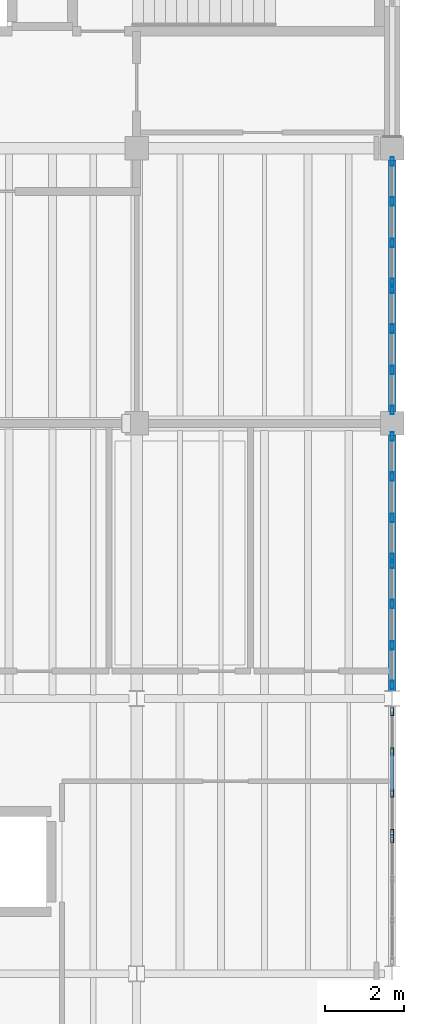
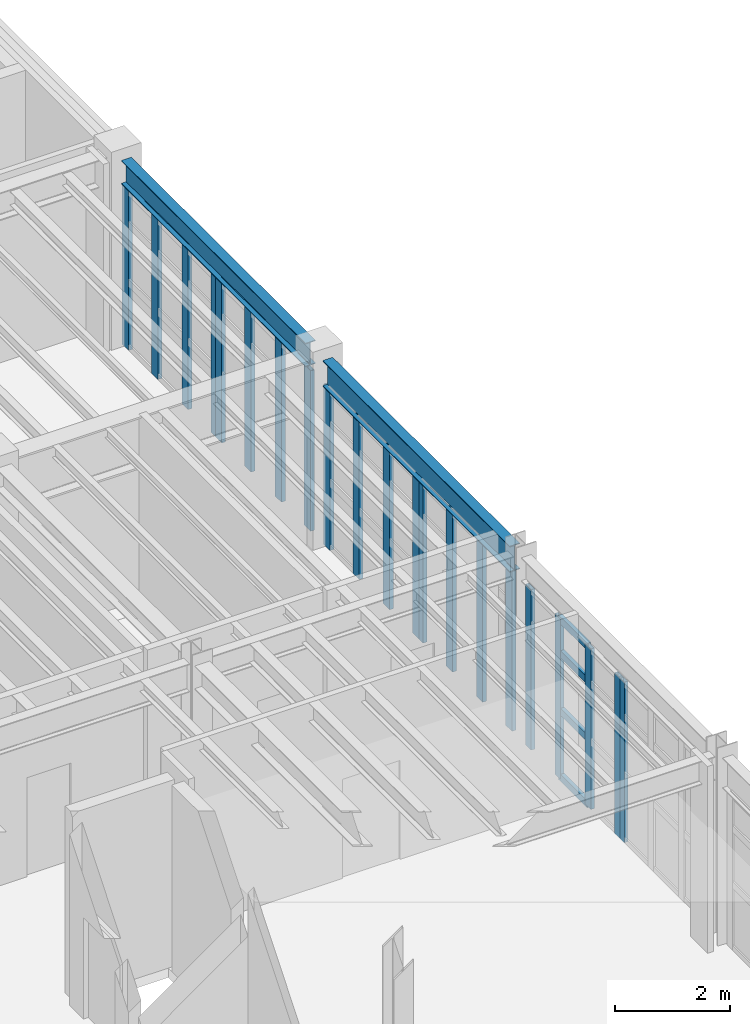
# One storey, part 45 of 78: 25 members, 2 beams, 6 elements without a shape of their own.
"""IFC4 building model written with IfcOpenShell, lengths in metres."""

from ifc_helpers import new_model, si_unit, direction, frame, origin, origin_2d, place, context, subcontext, project, spatial, hollow_rectangle, i_section, extrude, material, material_profile, profile_set, type_object, element, aggregate, save


model = new_model("IFC4")

# Units and contexts
model_context = context("Model", 3, precision=1e-05, world=origin(), true_north=direction((0.0, 1.0)))
body_context = subcontext(model_context, "Body", "Model", "MODEL_VIEW")
ifc_project = project(units=[si_unit("LENGTHUNIT", "METRE"), si_unit("AREAUNIT", "SQUARE_METRE"), si_unit("VOLUMEUNIT", "CUBIC_METRE"), si_unit("PLANEANGLEUNIT", "RADIAN"), si_unit("MASSUNIT", "GRAM", prefix="KILO"), si_unit("THERMODYNAMICTEMPERATUREUNIT", "KELVIN"), si_unit("POWERUNIT", "WATT")], contexts=[model_context])

# Site, building, storey
site_placement = place(None, origin())
site = spatial("IfcSite", under=ifc_project, at=site_placement, CompositionType="ELEMENT")
building_placement = place(site_placement, origin())
building = spatial("IfcBuilding", under=site, at=building_placement, Name="Zhenchuan Central Fire Station", CompositionType="ELEMENT")
storey_placement = place(building_placement, frame((0.0, 0.0, 5.85009765625)))
storey = spatial("IfcBuildingStorey", under=building, at=storey_placement, Name="L02", CompositionType="ELEMENT", Elevation=5.85009765625)

# Beams
ifc_material_1 = material(Name="Steel Q355B", Category="steel")
ifc_material_profile_1 = material_profile(ifc_material_1, i_section(OverallWidth=0.199951171875, OverallDepth=0.5, WebThickness=0.010009765625, FlangeThickness=0.01611328125, FilletRadius=0.02001953125, at=origin_2d()), Name="HN 500x200")
ifc_profile_set_1 = profile_set([ifc_material_profile_1], Name="Steel Q355B")
beam_type_1 = type_object("IfcBeamType", Name="BM-HN500", PredefinedType="BEAM", material=ifc_profile_set_1)
beam_1_placement = place(storey_placement, frame((161.0, 42.800048828125, 3.7099609375), z_axis=(0.0, 1.0, 0.0), x_axis=(-1.0, 0.0, 0.0)))
element("IfcBeam", 1, at=beam_1_placement, inside=storey, type_object=beam_type_1, Name="L03 Girder NS 0345", PredefinedType="BEAM", context=body_context, shape_type="SweptSolid", body=[
    extrude(i_section(OverallWidth=0.199951171875, OverallDepth=0.5, WebThickness=0.010009765625, FlangeThickness=0.01611328125, FilletRadius=0.02001953125, at=origin_2d()), origin(), (0.0, 0.0, 1.0), 6.39990234375),
])
ifc_material_profile_2 = material_profile(ifc_material_1, i_section(OverallWidth=0.199951171875, OverallDepth=0.550048828125, WebThickness=0.010009765625, FlangeThickness=0.01611328125, FilletRadius=0.02001953125, at=origin_2d()), Name="HN 550x200")
ifc_profile_set_2 = profile_set([ifc_material_profile_2], Name="Steel Q355B")
beam_type_2 = type_object("IfcBeamType", Name="BM-HN550", PredefinedType="BEAM", material=ifc_profile_set_2)
beam_2_placement = place(storey_placement, frame((161.0, 35.699951171875, 3.684814453125), z_axis=(0.0, 1.0, 0.0), x_axis=(-1.0, 0.0, 0.0)))
element("IfcBeam", 2, at=beam_2_placement, inside=storey, type_object=beam_type_2, Name="L03 Girder NS 0344", PredefinedType="BEAM", context=body_context, shape_type="SweptSolid", body=[
    extrude(i_section(OverallWidth=0.199951171875, OverallDepth=0.550048828125, WebThickness=0.010009765625, FlangeThickness=0.01611328125, FilletRadius=0.02001953125, at=origin_2d()), origin(), (0.0, 0.0, 1.0), 6.5),
])

# Curtain wall, member
ifc_material_2 = material(Name="Anodised aluminium and low-E glazing", Category="aluminium")
curtain_wall_type_1 = type_object("IfcCurtainWallType", Name="CW-MOD-10", PredefinedType="USERDEFINED", material=ifc_material_2)
curtain_wall_1_placement = place(storey_placement, origin())
curtain_wall_1 = element("IfcCurtainWall", 3, at=curtain_wall_1_placement, inside=storey, type_object=curtain_wall_type_1, Name="L02 Unitised Curtain Wall 092", ObjectType="UNITISED GLAZING", PredefinedType="USERDEFINED")
ifc_material_3 = material(Name="Anodised aluminium EN AW-6063", Category="aluminium")
ifc_material_profile_3 = material_profile(ifc_material_3, hollow_rectangle(XDim=0.074951171875, YDim=0.199951171875, WallThickness=0.0048828125, at=origin_2d()), Name="ALU-M 200x75")
ifc_profile_set_3 = profile_set([ifc_material_profile_3], Name="Anodised aluminium EN AW-6063")
member_type_1 = type_object("IfcMemberType", Name="CW-MUL160", PredefinedType="MULLION", material=ifc_profile_set_3)
member_1_placement = place(storey_placement, frame((161.0, 31.929443359375, -0.004150390625), z_axis=(0.0, 0.0, 1.0), x_axis=(-1.0, 0.0, 0.0)))
member_1 = element("IfcMember", 4, at=member_1_placement, type_object=member_type_1, Name="CW-10 mullion 4", PredefinedType="MULLION", context=body_context, shape_type="SweptSolid", body=[
    extrude(hollow_rectangle(XDim=0.074951171875, YDim=0.199951171875, WallThickness=0.0048828125, at=origin_2d()), origin(), (0.0, 0.0, 1.0), 3.404052734375),
])
aggregate(curtain_wall_1, [member_1])

# Curtain wall, members
curtain_wall_type_2 = type_object("IfcCurtainWallType", Name="CW-MOD-11", PredefinedType="USERDEFINED", material=ifc_material_2)
curtain_wall_2_placement = place(storey_placement, origin())
curtain_wall_2 = element("IfcCurtainWall", 5, at=curtain_wall_2_placement, inside=storey, type_object=curtain_wall_type_2, Name="L02 Unitised Curtain Wall 093", ObjectType="UNITISED GLAZING", PredefinedType="USERDEFINED")
member_2_placement = place(storey_placement, frame((161.0, 32.070556640625, -0.004150390625), z_axis=(0.0, 0.0, 1.0), x_axis=(-1.0, 0.0, 0.0)))
member_2 = element("IfcMember", 6, at=member_2_placement, type_object=member_type_1, Name="CW-11 mullion 1", PredefinedType="MULLION", context=body_context, shape_type="SweptSolid", body=[
    extrude(hollow_rectangle(XDim=0.074951171875, YDim=0.199951171875, WallThickness=0.0048828125, at=origin_2d()), origin(), (0.0, 0.0, 1.0), 3.404052734375),
])
member_3_placement = place(storey_placement, frame((161.0, 33.092041015625, -0.004150390625), z_axis=(0.0, 0.0, 1.0), x_axis=(-1.0, 0.0, 0.0)))
member_3 = element("IfcMember", 7, at=member_3_placement, type_object=member_type_1, Name="CW-11 mullion 2", PredefinedType="MULLION", context=body_context, shape_type="SweptSolid", body=[
    extrude(hollow_rectangle(XDim=0.074951171875, YDim=0.199951171875, WallThickness=0.0048828125, at=origin_2d()), origin(), (0.0, 0.0, 1.0), 3.404052734375),
])
member_4_placement = place(storey_placement, frame((161.0, 34.14599609375, -0.004150390625), z_axis=(0.0, 0.0, 1.0), x_axis=(-1.0, 0.0, 0.0)))
member_4 = element("IfcMember", 8, at=member_4_placement, type_object=member_type_1, Name="CW-11 mullion 3", PredefinedType="MULLION", context=body_context, shape_type="SweptSolid", body=[
    extrude(hollow_rectangle(XDim=0.074951171875, YDim=0.199951171875, WallThickness=0.0048828125, at=origin_2d()), origin(), (0.0, 0.0, 1.0), 3.404052734375),
])
member_5_placement = place(storey_placement, frame((161.0, 35.16748046875, -0.004150390625), z_axis=(0.0, 0.0, 1.0), x_axis=(-1.0, 0.0, 0.0)))
member_5 = element("IfcMember", 9, at=member_5_placement, type_object=member_type_1, Name="CW-11 mullion 4", PredefinedType="MULLION", context=body_context, shape_type="SweptSolid", body=[
    extrude(hollow_rectangle(XDim=0.074951171875, YDim=0.199951171875, WallThickness=0.0048828125, at=origin_2d()), origin(), (0.0, 0.0, 1.0), 3.404052734375),
])

curtain_wall_type_3 = type_object("IfcCurtainWallType", Name="CW-MOD-12", PredefinedType="USERDEFINED", material=ifc_material_2)
curtain_wall_3_placement = place(storey_placement, origin())
curtain_wall_3 = element("IfcCurtainWall", 10, at=curtain_wall_3_placement, inside=storey, type_object=curtain_wall_type_3, Name="L02 Unitised Curtain Wall 094", ObjectType="UNITISED GLAZING", PredefinedType="USERDEFINED")
ifc_material_profile_4 = material_profile(ifc_material_3, hollow_rectangle(XDim=0.080078125, YDim=0.219970703125, WallThickness=0.005615234375, at=origin_2d()), Name="ALU-M 220x80")
ifc_profile_set_4 = profile_set([ifc_material_profile_4], Name="Anodised aluminium EN AW-6063")
member_type_2 = type_object("IfcMemberType", Name="CW-MUL200", PredefinedType="MULLION", material=ifc_profile_set_4)
member_6_placement = place(storey_placement, frame((161.0, 35.83740234375, -0.004150390625), z_axis=(0.0, 0.0, 1.0), x_axis=(-1.0, 0.0, 0.0)))
member_6 = element("IfcMember", 11, at=member_6_placement, type_object=member_type_2, Name="CW-12 mullion 1", PredefinedType="MULLION", context=body_context, shape_type="SweptSolid", body=[
    extrude(hollow_rectangle(XDim=0.080078125, YDim=0.219970703125, WallThickness=0.005615234375, at=origin_2d()), origin(), (0.0, 0.0, 1.0), 3.404052734375),
])
member_7_placement = place(storey_placement, frame((161.0, 36.85400390625, -0.004150390625), z_axis=(0.0, 0.0, 1.0), x_axis=(-1.0, 0.0, 0.0)))
member_7 = element("IfcMember", 12, at=member_7_placement, type_object=member_type_2, Name="CW-12 mullion 2", PredefinedType="MULLION", context=body_context, shape_type="SweptSolid", body=[
    extrude(hollow_rectangle(XDim=0.080078125, YDim=0.219970703125, WallThickness=0.005615234375, at=origin_2d()), origin(), (0.0, 0.0, 1.0), 3.404052734375),
])
member_8_placement = place(storey_placement, frame((161.0, 37.907958984375, -0.004150390625), z_axis=(0.0, 0.0, 1.0), x_axis=(-1.0, 0.0, 0.0)))
member_8 = element("IfcMember", 13, at=member_8_placement, type_object=member_type_2, Name="CW-12 mullion 3", PredefinedType="MULLION", context=body_context, shape_type="SweptSolid", body=[
    extrude(hollow_rectangle(XDim=0.080078125, YDim=0.219970703125, WallThickness=0.005615234375, at=origin_2d()), origin(), (0.0, 0.0, 1.0), 3.404052734375),
])
member_9_placement = place(storey_placement, frame((161.0, 38.924560546875, -0.004150390625), z_axis=(0.0, 0.0, 1.0), x_axis=(-1.0, 0.0, 0.0)))
member_9 = element("IfcMember", 14, at=member_9_placement, type_object=member_type_2, Name="CW-12 mullion 4", PredefinedType="MULLION", context=body_context, shape_type="SweptSolid", body=[
    extrude(hollow_rectangle(XDim=0.080078125, YDim=0.219970703125, WallThickness=0.005615234375, at=origin_2d()), origin(), (0.0, 0.0, 1.0), 3.404052734375),
])
aggregate(curtain_wall_3, [member_6, member_7, member_8, member_9])

curtain_wall_type_4 = type_object("IfcCurtainWallType", Name="CW-MOD-13", PredefinedType="USERDEFINED", material=ifc_material_2)
curtain_wall_4_placement = place(storey_placement, origin())
curtain_wall_4 = element("IfcCurtainWall", 15, at=curtain_wall_4_placement, inside=storey, type_object=curtain_wall_type_4, Name="L02 Unitised Curtain Wall 095", ObjectType="UNITISED GLAZING", PredefinedType="USERDEFINED")
member_10_placement = place(storey_placement, frame((161.0, 39.075439453125, -0.004150390625), z_axis=(0.0, 0.0, 1.0), x_axis=(-1.0, 0.0, 0.0)))
member_10 = element("IfcMember", 16, at=member_10_placement, type_object=member_type_2, Name="CW-13 mullion 1", PredefinedType="MULLION", context=body_context, shape_type="SweptSolid", body=[
    extrude(hollow_rectangle(XDim=0.080078125, YDim=0.219970703125, WallThickness=0.005615234375, at=origin_2d()), origin(), (0.0, 0.0, 1.0), 3.404052734375),
])
member_11_placement = place(storey_placement, frame((161.0, 40.092041015625, -0.004150390625), z_axis=(0.0, 0.0, 1.0), x_axis=(-1.0, 0.0, 0.0)))
member_11 = element("IfcMember", 17, at=member_11_placement, type_object=member_type_2, Name="CW-13 mullion 2", PredefinedType="MULLION", context=body_context, shape_type="SweptSolid", body=[
    extrude(hollow_rectangle(XDim=0.080078125, YDim=0.219970703125, WallThickness=0.005615234375, at=origin_2d()), origin(), (0.0, 0.0, 1.0), 3.404052734375),
])
member_12_placement = place(storey_placement, frame((161.0, 41.14599609375, -0.004150390625), z_axis=(0.0, 0.0, 1.0), x_axis=(-1.0, 0.0, 0.0)))
member_12 = element("IfcMember", 18, at=member_12_placement, type_object=member_type_2, Name="CW-13 mullion 3", PredefinedType="MULLION", context=body_context, shape_type="SweptSolid", body=[
    extrude(hollow_rectangle(XDim=0.080078125, YDim=0.219970703125, WallThickness=0.005615234375, at=origin_2d()), origin(), (0.0, 0.0, 1.0), 3.404052734375),
])
member_13_placement = place(storey_placement, frame((161.0, 42.16259765625, -0.004150390625), z_axis=(0.0, 0.0, 1.0), x_axis=(-1.0, 0.0, 0.0)))
member_13 = element("IfcMember", 19, at=member_13_placement, type_object=member_type_2, Name="CW-13 mullion 4", PredefinedType="MULLION", context=body_context, shape_type="SweptSolid", body=[
    extrude(hollow_rectangle(XDim=0.080078125, YDim=0.219970703125, WallThickness=0.005615234375, at=origin_2d()), origin(), (0.0, 0.0, 1.0), 3.404052734375),
])
aggregate(curtain_wall_4, [member_10, member_11, member_12, member_13])

curtain_wall_5_placement = place(storey_placement, origin())
curtain_wall_5 = element("IfcCurtainWall", 20, at=curtain_wall_5_placement, inside=storey, type_object=curtain_wall_type_3, Name="L02 Unitised Curtain Wall 142", ObjectType="UNITISED GLAZING", PredefinedType="USERDEFINED")
member_14_placement = place(storey_placement, frame((161.0, 42.83740234375, -0.004150390625), z_axis=(0.0, 0.0, 1.0), x_axis=(-1.0, 0.0, 0.0)))
member_14 = element("IfcMember", 21, at=member_14_placement, type_object=member_type_2, Name="CW-12 mullion 1", PredefinedType="MULLION", context=body_context, shape_type="SweptSolid", body=[
    extrude(hollow_rectangle(XDim=0.080078125, YDim=0.219970703125, WallThickness=0.005615234375, at=origin_2d()), origin(), (0.0, 0.0, 1.0), 3.404052734375),
])
member_15_placement = place(storey_placement, frame((161.0, 43.85400390625, -0.004150390625), z_axis=(0.0, 0.0, 1.0), x_axis=(-1.0, 0.0, 0.0)))
member_15 = element("IfcMember", 22, at=member_15_placement, type_object=member_type_2, Name="CW-12 mullion 2", PredefinedType="MULLION", context=body_context, shape_type="SweptSolid", body=[
    extrude(hollow_rectangle(XDim=0.080078125, YDim=0.219970703125, WallThickness=0.005615234375, at=origin_2d()), origin(), (0.0, 0.0, 1.0), 3.404052734375),
])
member_16_placement = place(storey_placement, frame((161.0, 44.907958984375, -0.004150390625), z_axis=(0.0, 0.0, 1.0), x_axis=(-1.0, 0.0, 0.0)))
member_16 = element("IfcMember", 23, at=member_16_placement, type_object=member_type_2, Name="CW-12 mullion 3", PredefinedType="MULLION", context=body_context, shape_type="SweptSolid", body=[
    extrude(hollow_rectangle(XDim=0.080078125, YDim=0.219970703125, WallThickness=0.005615234375, at=origin_2d()), origin(), (0.0, 0.0, 1.0), 3.404052734375),
])
member_17_placement = place(storey_placement, frame((161.0, 45.924560546875, -0.004150390625), z_axis=(0.0, 0.0, 1.0), x_axis=(-1.0, 0.0, 0.0)))
member_17 = element("IfcMember", 24, at=member_17_placement, type_object=member_type_2, Name="CW-12 mullion 4", PredefinedType="MULLION", context=body_context, shape_type="SweptSolid", body=[
    extrude(hollow_rectangle(XDim=0.080078125, YDim=0.219970703125, WallThickness=0.005615234375, at=origin_2d()), origin(), (0.0, 0.0, 1.0), 3.404052734375),
])
aggregate(curtain_wall_5, [member_14, member_15, member_16, member_17])

curtain_wall_6_placement = place(storey_placement, origin())
curtain_wall_6 = element("IfcCurtainWall", 25, at=curtain_wall_6_placement, inside=storey, type_object=curtain_wall_type_4, Name="L02 Unitised Curtain Wall 143", ObjectType="UNITISED GLAZING", PredefinedType="USERDEFINED")
member_18_placement = place(storey_placement, frame((161.0, 46.075439453125, -0.004150390625), z_axis=(0.0, 0.0, 1.0), x_axis=(-1.0, 0.0, 0.0)))
member_18 = element("IfcMember", 26, at=member_18_placement, type_object=member_type_2, Name="CW-13 mullion 1", PredefinedType="MULLION", context=body_context, shape_type="SweptSolid", body=[
    extrude(hollow_rectangle(XDim=0.080078125, YDim=0.219970703125, WallThickness=0.005615234375, at=origin_2d()), origin(), (0.0, 0.0, 1.0), 3.404052734375),
])
member_19_placement = place(storey_placement, frame((161.0, 47.092041015625, -0.004150390625), z_axis=(0.0, 0.0, 1.0), x_axis=(-1.0, 0.0, 0.0)))
member_19 = element("IfcMember", 27, at=member_19_placement, type_object=member_type_2, Name="CW-13 mullion 2", PredefinedType="MULLION", context=body_context, shape_type="SweptSolid", body=[
    extrude(hollow_rectangle(XDim=0.080078125, YDim=0.219970703125, WallThickness=0.005615234375, at=origin_2d()), origin(), (0.0, 0.0, 1.0), 3.404052734375),
])
member_20_placement = place(storey_placement, frame((161.0, 48.14599609375, -0.004150390625), z_axis=(0.0, 0.0, 1.0), x_axis=(-1.0, 0.0, 0.0)))
member_20 = element("IfcMember", 28, at=member_20_placement, type_object=member_type_2, Name="CW-13 mullion 3", PredefinedType="MULLION", context=body_context, shape_type="SweptSolid", body=[
    extrude(hollow_rectangle(XDim=0.080078125, YDim=0.219970703125, WallThickness=0.005615234375, at=origin_2d()), origin(), (0.0, 0.0, 1.0), 3.404052734375),
])
member_21_placement = place(storey_placement, frame((161.0, 49.16259765625, -0.004150390625), z_axis=(0.0, 0.0, 1.0), x_axis=(-1.0, 0.0, 0.0)))
member_21 = element("IfcMember", 29, at=member_21_placement, type_object=member_type_2, Name="CW-13 mullion 4", PredefinedType="MULLION", context=body_context, shape_type="SweptSolid", body=[
    extrude(hollow_rectangle(XDim=0.080078125, YDim=0.219970703125, WallThickness=0.005615234375, at=origin_2d()), origin(), (0.0, 0.0, 1.0), 3.404052734375),
])
aggregate(curtain_wall_6, [member_18, member_19, member_20, member_21])

# Member
ifc_material_profile_5 = material_profile(ifc_material_3, hollow_rectangle(XDim=0.074951171875, YDim=0.14990234375, WallThickness=0.0048828125, at=origin_2d()), Name="ALU-T 150x75")
ifc_profile_set_5 = profile_set([ifc_material_profile_5], Name="Anodised aluminium EN AW-6063")
member_type_3 = type_object("IfcMemberType", Name="CW-TRN130", PredefinedType="NOTDEFINED", material=ifc_profile_set_5)
member_22_placement = place(storey_placement, frame((161.0, 33.12451171875, 0.0283203125), z_axis=(0.0, 1.0, 0.0), x_axis=(-1.0, 0.0, 0.0)))
member_22 = element("IfcMember", 30, at=member_22_placement, type_object=member_type_3, Name="CW-11 transom 2.1", ObjectType="TRANSOM", PredefinedType="USERDEFINED", context=body_context, shape_type="SweptSolid", body=[
    extrude(hollow_rectangle(XDim=0.074951171875, YDim=0.14990234375, WallThickness=0.0048828125, at=origin_2d()), origin(), (0.0, 0.0, 1.0), 0.989013671875),
])

member_23_placement = place(storey_placement, frame((161.0, 33.12451171875, 1.427978515625), z_axis=(0.0, 1.0, 0.0), x_axis=(-1.0, 0.0, 0.0)))
member_23 = element("IfcMember", 31, at=member_23_placement, type_object=member_type_3, Name="CW-11 transom 2.2", ObjectType="TRANSOM", PredefinedType="USERDEFINED", context=body_context, shape_type="SweptSolid", body=[
    extrude(hollow_rectangle(XDim=0.074951171875, YDim=0.14990234375, WallThickness=0.0048828125, at=origin_2d()), origin(), (0.0, 0.0, 1.0), 0.989013671875),
])

member_24_placement = place(storey_placement, frame((161.0, 33.12451171875, 2.65185546875), z_axis=(0.0, 1.0, 0.0), x_axis=(-1.0, 0.0, 0.0)))
member_24 = element("IfcMember", 32, at=member_24_placement, type_object=member_type_3, Name="CW-11 transom 2.3", ObjectType="TRANSOM", PredefinedType="USERDEFINED", context=body_context, shape_type="SweptSolid", body=[
    extrude(hollow_rectangle(XDim=0.074951171875, YDim=0.14990234375, WallThickness=0.0048828125, at=origin_2d()), origin(), (0.0, 0.0, 1.0), 0.989013671875),
])

member_25_placement = place(storey_placement, frame((161.0, 33.12451171875, 3.367431640625), z_axis=(0.0, 1.0, 0.0), x_axis=(-1.0, 0.0, 0.0)))
member_25 = element("IfcMember", 33, at=member_25_placement, type_object=member_type_3, Name="CW-11 transom 2.4", ObjectType="TRANSOM", PredefinedType="USERDEFINED", context=body_context, shape_type="SweptSolid", body=[
    extrude(hollow_rectangle(XDim=0.074951171875, YDim=0.14990234375, WallThickness=0.0048828125, at=origin_2d()), origin(), (0.0, 0.0, 1.0), 0.989013671875),
])

aggregate(curtain_wall_2, [member_2, member_3, member_4, member_5, member_22, member_23, member_24, member_25])

save(model, "model.ifc")
